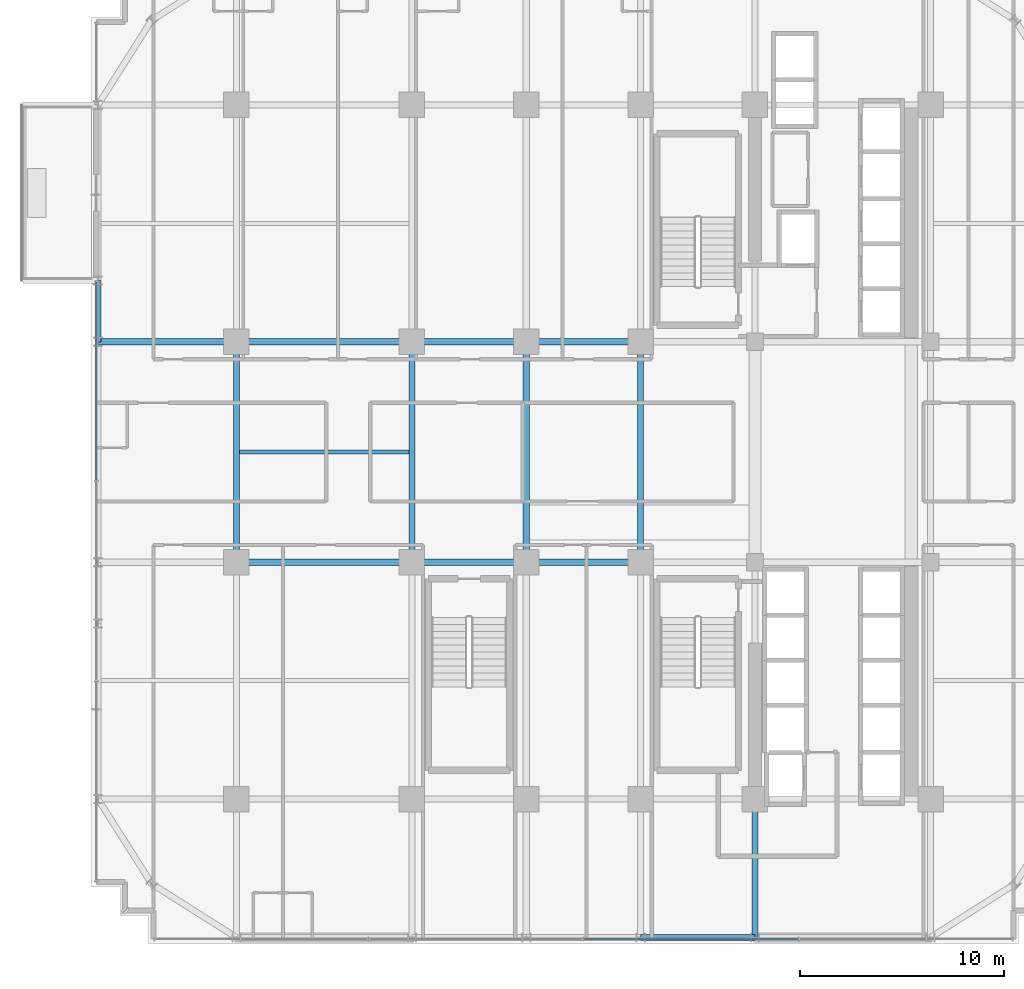
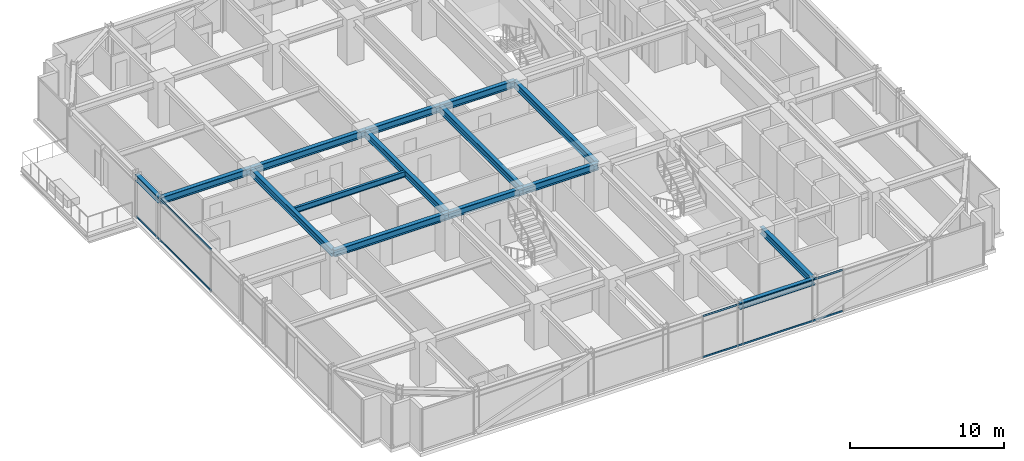
# One storey, part 9 of 40: 15 beams, 4 members, 2 elements without a shape of their own.
"""IFC4 building model written with IfcOpenShell, lengths in metres."""

from ifc_helpers import new_model, si_unit, direction, frame, origin, origin_2d, place, context, subcontext, project, spatial, hollow_rectangle, i_section, extrude, source, transform, mapped, material, material_profile, profile_set, type_object, element, aggregate, save


model = new_model("IFC4")

# Units and contexts
model_context = context("Model", 3, precision=1e-05, world=origin(), true_north=direction((0.0, 1.0)))
body_context = subcontext(model_context, "Body", "Model", "MODEL_VIEW")
ifc_project = project(units=[si_unit("LENGTHUNIT", "METRE"), si_unit("AREAUNIT", "SQUARE_METRE"), si_unit("VOLUMEUNIT", "CUBIC_METRE"), si_unit("PLANEANGLEUNIT", "RADIAN"), si_unit("MASSUNIT", "GRAM", prefix="KILO")], contexts=[model_context])

# Site, building, storey
site_placement = place(None, origin())
site = spatial("IfcSite", under=ifc_project, at=site_placement, CompositionType="ELEMENT")
building_placement = place(site_placement, origin())
building = spatial("IfcBuilding", under=site, at=building_placement, Name="Nahalor Promenade Grand Hotel", CompositionType="ELEMENT")
storey_placement = place(building_placement, frame((0.0, 0.0, 91.949951171875)))
storey = spatial("IfcBuildingStorey", under=building, at=storey_placement, Name="L22", CompositionType="ELEMENT", Elevation=91.949951171875)

# Beams
ifc_material_1 = material(Name="Steel S355JR", Category="steel")
ifc_material_profile_1 = material_profile(ifc_material_1, i_section(OverallWidth=0.3, OverallDepth=0.5, WebThickness=0.0145, FlangeThickness=0.028, at=origin_2d()), Name="HEB 500")
ifc_profile_set_1 = profile_set([ifc_material_profile_1], Name="Steel S355JR")
beam_type_1 = type_object("IfcBeamType", Name="Beam-Spandrel-HEB500", PredefinedType="SPANDREL", material=ifc_profile_set_1)
shared_shape_1 = source(origin(), body_context, "Body", "SweptSolid", [
    extrude(i_section(OverallWidth=0.3, OverallDepth=0.5, WebThickness=0.0145, FlangeThickness=0.028, at=origin_2d()), origin(), (0.0, 0.0, 1.0), 5.599853515625),
])
beam_1_placement = place(storey_placement, frame((2.800048828125, -23.780029296875, 3.130126953125), z_axis=(1.0, 0.0, 0.0), x_axis=(0.0, 1.0, 0.0)))
element("IfcBeam", 1, at=beam_1_placement, inside=storey, type_object=beam_type_1, Name="BM-L22-SP-S-3", PredefinedType="SPANDREL", context=body_context, shape_type="MappedRepresentation", body=[
    mapped(shared_shape_1, transform((0.0, 0.0, 0.0), scale=1.0)),
])
shared_shape_2 = source(origin(), body_context, "Body", "SweptSolid", [
    extrude(i_section(OverallWidth=0.3, OverallDepth=0.5, WebThickness=0.0145, FlangeThickness=0.028, at=origin_2d()), origin(), (0.0, 0.0, 1.0), 3.0),
])
beam_2_placement = place(storey_placement, frame((-23.780029296875, 5.39990234375, 3.130126953125), z_axis=(0.0, 1.0, 0.0), x_axis=(-1.0, 0.0, 0.0)))
element("IfcBeam", 2, at=beam_2_placement, inside=storey, type_object=beam_type_1, Name="BM-L22-SP-W-3", PredefinedType="SPANDREL", context=body_context, shape_type="MappedRepresentation", body=[
    mapped(shared_shape_2, transform((0.0, 0.0, 0.0), scale=1.0)),
])
ifc_material_profile_2 = material_profile(ifc_material_1, i_section(OverallWidth=0.3, OverallDepth=0.55, WebThickness=0.015, FlangeThickness=0.029, at=origin_2d()), Name="HEB 550")
ifc_profile_set_2 = profile_set([ifc_material_profile_2], Name="Steel S355JR")
beam_type_2 = type_object("IfcBeamType", Name="Beam-Girder-HEB550", PredefinedType="BEAM", material=ifc_profile_set_2)
shared_shape_3 = source(origin(), body_context, "Body", "SweptSolid", [
    extrude(i_section(OverallWidth=0.3, OverallDepth=0.55, WebThickness=0.015, FlangeThickness=0.029, at=origin_2d()), origin(), (0.0, 0.0, 1.0), 6.780029296875),
])
for number, where, z_axis, x_axis, name in (
    (3, (-23.780029296875, 5.39990234375, 3.10498046875), (1.0, 0.0, 0.0), (0.0, 1.0, 0.0), "BM-L22-GX-2-0"),
    (4, (8.39990234375, -23.780029296875, 3.10498046875), (0.0, 1.0, 0.0), (-1.0, 0.0, 0.0), "BM-L22-GY-4-0"),
):
    element("IfcBeam", number, at=place(storey_placement, frame(where, z_axis=z_axis, x_axis=x_axis)), inside=storey, type_object=beam_type_2, Name=name, PredefinedType="BEAM", context=body_context, shape_type="MappedRepresentation", body=[
        mapped(shared_shape_3, transform((0.0, 0.0, 0.0), scale=1.0)),
    ])
shared_shape_4 = source(origin(), body_context, "Body", "SweptSolid", [
    extrude(i_section(OverallWidth=0.3, OverallDepth=0.55, WebThickness=0.015, FlangeThickness=0.029, at=origin_2d()), origin(), (0.0, 0.0, 1.0), 8.60009765625),
])
for number, where, z_axis, x_axis, name in (
    (5, (-17.0, -5.39990234375, 3.10498046875), (1.0, 0.0, 0.0), (0.0, 1.0, 0.0), "BM-L22-GX-1-1"),
    (6, (-17.0, 5.39990234375, 3.10498046875), (1.0, 0.0, 0.0), (0.0, 1.0, 0.0), "BM-L22-GX-2-1"),
):
    element("IfcBeam", number, at=place(storey_placement, frame(where, z_axis=z_axis, x_axis=x_axis)), inside=storey, type_object=beam_type_2, Name=name, PredefinedType="BEAM", context=body_context, shape_type="MappedRepresentation", body=[
        mapped(shared_shape_4, transform((0.0, 0.0, 0.0), scale=1.0)),
    ])
shared_shape_5 = source(origin(), body_context, "Body", "SweptSolid", [
    extrude(i_section(OverallWidth=0.3, OverallDepth=0.55, WebThickness=0.015, FlangeThickness=0.029, at=origin_2d()), origin(), (0.0, 0.0, 1.0), 5.599853515625),
])
for number, where, z_axis, x_axis, name in (
    (7, (-8.39990234375, -5.39990234375, 3.10498046875), (1.0, 0.0, 0.0), (0.0, 1.0, 0.0), "BM-L22-GX-1-2"),
    (8, (-8.39990234375, 5.39990234375, 3.10498046875), (1.0, 0.0, 0.0), (0.0, 1.0, 0.0), "BM-L22-GX-2-2"),
):
    element("IfcBeam", number, at=place(storey_placement, frame(where, z_axis=z_axis, x_axis=x_axis)), inside=storey, type_object=beam_type_2, Name=name, PredefinedType="BEAM", context=body_context, shape_type="MappedRepresentation", body=[
        mapped(shared_shape_5, transform((0.0, 0.0, 0.0), scale=1.0)),
    ])
shared_shape_6 = source(origin(), body_context, "Body", "SweptSolid", [
    extrude(i_section(OverallWidth=0.3, OverallDepth=0.55, WebThickness=0.015, FlangeThickness=0.029, at=origin_2d()), origin(), (0.0, 0.0, 1.0), 5.60009765625),
])
for number, where, z_axis, x_axis, name in (
    (9, (-2.800048828125, -5.39990234375, 3.10498046875), (1.0, 0.0, 0.0), (0.0, 1.0, 0.0), "BM-L22-GX-1-3"),
    (10, (-2.800048828125, 5.39990234375, 3.10498046875), (1.0, 0.0, 0.0), (0.0, 1.0, 0.0), "BM-L22-GX-2-3"),
):
    element("IfcBeam", number, at=place(storey_placement, frame(where, z_axis=z_axis, x_axis=x_axis)), inside=storey, type_object=beam_type_2, Name=name, PredefinedType="BEAM", context=body_context, shape_type="MappedRepresentation", body=[
        mapped(shared_shape_6, transform((0.0, 0.0, 0.0), scale=1.0)),
    ])
shared_shape_7 = source(origin(), body_context, "Body", "SweptSolid", [
    extrude(i_section(OverallWidth=0.3, OverallDepth=0.55, WebThickness=0.015, FlangeThickness=0.029, at=origin_2d()), origin(), (0.0, 0.0, 1.0), 10.7998046875),
])
for number, where, z_axis, x_axis, name in (
    (11, (-17.0, -5.39990234375, 3.10498046875), (0.0, 1.0, 0.0), (-1.0, 0.0, 0.0), "BM-L22-GY-0-2"),
    (12, (-8.39990234375, -5.39990234375, 3.10498046875), (0.0, 1.0, 0.0), (-1.0, 0.0, 0.0), "BM-L22-GY-1-2"),
    (13, (-2.800048828125, -5.39990234375, 3.10498046875), (0.0, 1.0, 0.0), (-1.0, 0.0, 0.0), "BM-L22-GY-2-2"),
    (14, (2.800048828125, -5.39990234375, 3.10498046875), (0.0, 1.0, 0.0), (-1.0, 0.0, 0.0), "BM-L22-GY-3-2"),
):
    element("IfcBeam", number, at=place(storey_placement, frame(where, z_axis=z_axis, x_axis=x_axis)), inside=storey, type_object=beam_type_2, Name=name, PredefinedType="BEAM", context=body_context, shape_type="MappedRepresentation", body=[
        mapped(shared_shape_7, transform((0.0, 0.0, 0.0), scale=1.0)),
    ])
ifc_material_profile_3 = material_profile(ifc_material_1, i_section(OverallWidth=0.19, OverallDepth=0.45, WebThickness=0.0094, FlangeThickness=0.0146, at=origin_2d()), Name="IPE 450")
ifc_profile_set_3 = profile_set([ifc_material_profile_3], Name="Steel S355JR")
beam_type_3 = type_object("IfcBeamType", Name="Beam-Joist-IPE450", PredefinedType="JOIST", material=ifc_profile_set_3)
shared_shape_8 = source(origin(), body_context, "Body", "SweptSolid", [
    extrude(i_section(OverallWidth=0.19, OverallDepth=0.45, WebThickness=0.0094, FlangeThickness=0.0146, at=origin_2d()), origin(), (0.0, 0.0, 1.0), 8.300048828125),
])
beam_3_placement = place(storey_placement, frame((-16.85009765625, 0.0, 3.155029296875), z_axis=(1.0, 0.0, 0.0), x_axis=(0.0, 1.0, 0.0)))
element("IfcBeam", 15, at=beam_3_placement, inside=storey, type_object=beam_type_3, Name="BM-L22-JSC-0", PredefinedType="JOIST", context=body_context, shape_type="MappedRepresentation", body=[
    mapped(shared_shape_8, transform((0.0, 0.0, 0.0), scale=1.0)),
])

# Curtain wall, members
ifc_material_2 = material(Name="Anodised Bronze Aluminium EN AW-6063 T6", Category="aluminium")
curtain_wall_type = type_object("IfcCurtainWallType", Name="CW2 Typical Hotel Flush Bronze Unitised Curtain Wall", PredefinedType="USERDEFINED", material=ifc_material_2)
curtain_wall_1_placement = place(storey_placement, origin())
curtain_wall_1 = element("IfcCurtainWall", 16, at=curtain_wall_1_placement, inside=storey, type_object=curtain_wall_type, Name="L22 Curtain Wall CW-L22-W-1", ObjectType="UNITISED_CURTAIN_WALL", PredefinedType="USERDEFINED")
ifc_material_profile_4 = material_profile(ifc_material_2, hollow_rectangle(XDim=0.065, YDim=0.13, WallThickness=0.004, at=origin_2d()), Name="CWT 65x130x4")
ifc_profile_set_4 = profile_set([ifc_material_profile_4], Name="Anodised Bronze Aluminium EN AW-6063 T6")
member_type = type_object("IfcMemberType", Name="CWT2 Typical Bronze Transom 65x130", PredefinedType="USERDEFINED", material=ifc_profile_set_4)
shared_shape_9 = source(origin(), body_context, "Body", "SweptSolid", [
    extrude(hollow_rectangle(XDim=0.065, YDim=0.13, WallThickness=0.004, at=origin_2d()), origin(), (0.0, 0.0, 1.0), 9.722412109375),
])
member_1_placement = place(storey_placement, frame((-23.860107421875, -1.387451171875, 0.06494140625), z_axis=(0.0, 1.0, 0.0), x_axis=(-1.0, 0.0, 0.0)))
member_1 = element("IfcMember", 17, at=member_1_placement, type_object=member_type, Name="CW-L22-W-1 Transom 2-0", ObjectType="TRANSOM", PredefinedType="USERDEFINED", context=body_context, shape_type="MappedRepresentation", body=[
    mapped(shared_shape_9, transform((0.0, 0.0, 0.0), scale=1.0)),
])
member_2_placement = place(storey_placement, frame((-23.860107421875, -1.387451171875, 3.31494140625), z_axis=(0.0, 1.0, 0.0), x_axis=(-1.0, 0.0, 0.0)))
member_2 = element("IfcMember", 18, at=member_2_placement, type_object=member_type, Name="CW-L22-W-1 Transom 2-1", ObjectType="TRANSOM", PredefinedType="USERDEFINED", context=body_context, shape_type="MappedRepresentation", body=[
    mapped(shared_shape_9, transform((0.0, 0.0, 0.0), scale=1.0)),
])
aggregate(curtain_wall_1, [member_1, member_2])

curtain_wall_2_placement = place(storey_placement, origin())
curtain_wall_2 = element("IfcCurtainWall", 19, at=curtain_wall_2_placement, inside=storey, type_object=curtain_wall_type, Name="L22 Curtain Wall CW-L22-S-1", ObjectType="UNITISED_CURTAIN_WALL", PredefinedType="USERDEFINED")
shared_shape_10 = source(origin(), body_context, "Body", "SweptSolid", [
    extrude(hollow_rectangle(XDim=0.065, YDim=0.13, WallThickness=0.004, at=origin_2d()), origin(), (0.0, 0.0, 1.0), 10.465087890625),
])
member_3_placement = place(storey_placement, frame((0.032470703125, -23.860107421875, 0.06494140625), z_axis=(1.0, 0.0, 0.0), x_axis=(0.0, 1.0, 0.0)))
member_3 = element("IfcMember", 20, at=member_3_placement, type_object=member_type, Name="CW-L22-S-1 Transom 2-0", ObjectType="TRANSOM", PredefinedType="USERDEFINED", context=body_context, shape_type="MappedRepresentation", body=[
    mapped(shared_shape_10, transform((0.0, 0.0, 0.0), scale=1.0)),
])
member_4_placement = place(storey_placement, frame((0.032470703125, -23.860107421875, 3.31494140625), z_axis=(1.0, 0.0, 0.0), x_axis=(0.0, 1.0, 0.0)))
member_4 = element("IfcMember", 21, at=member_4_placement, type_object=member_type, Name="CW-L22-S-1 Transom 2-1", ObjectType="TRANSOM", PredefinedType="USERDEFINED", context=body_context, shape_type="MappedRepresentation", body=[
    mapped(shared_shape_10, transform((0.0, 0.0, 0.0), scale=1.0)),
])
aggregate(curtain_wall_2, [member_3, member_4])

save(model, "model.ifc")
